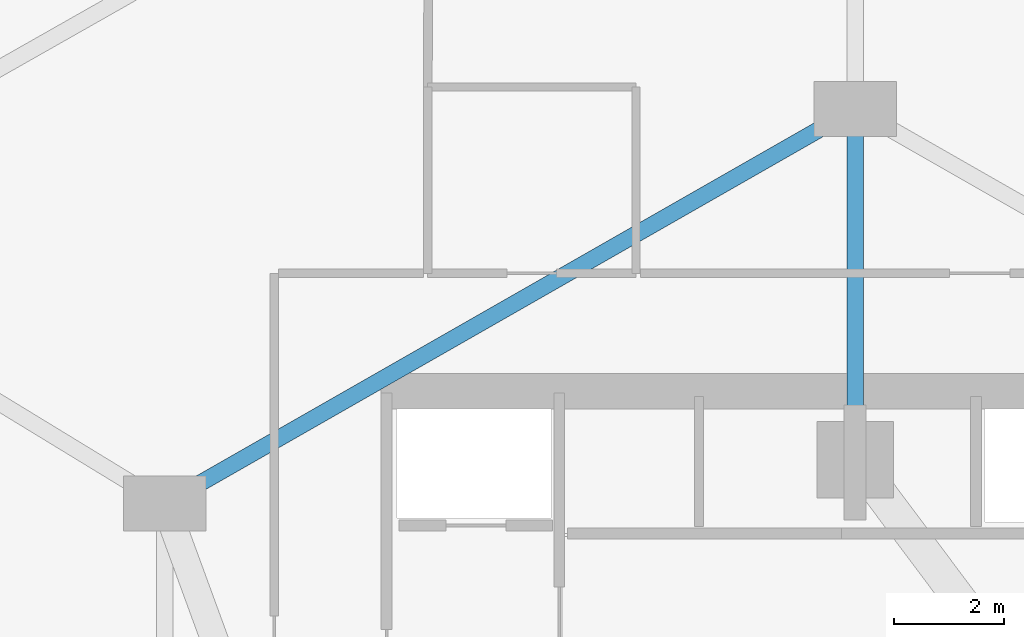
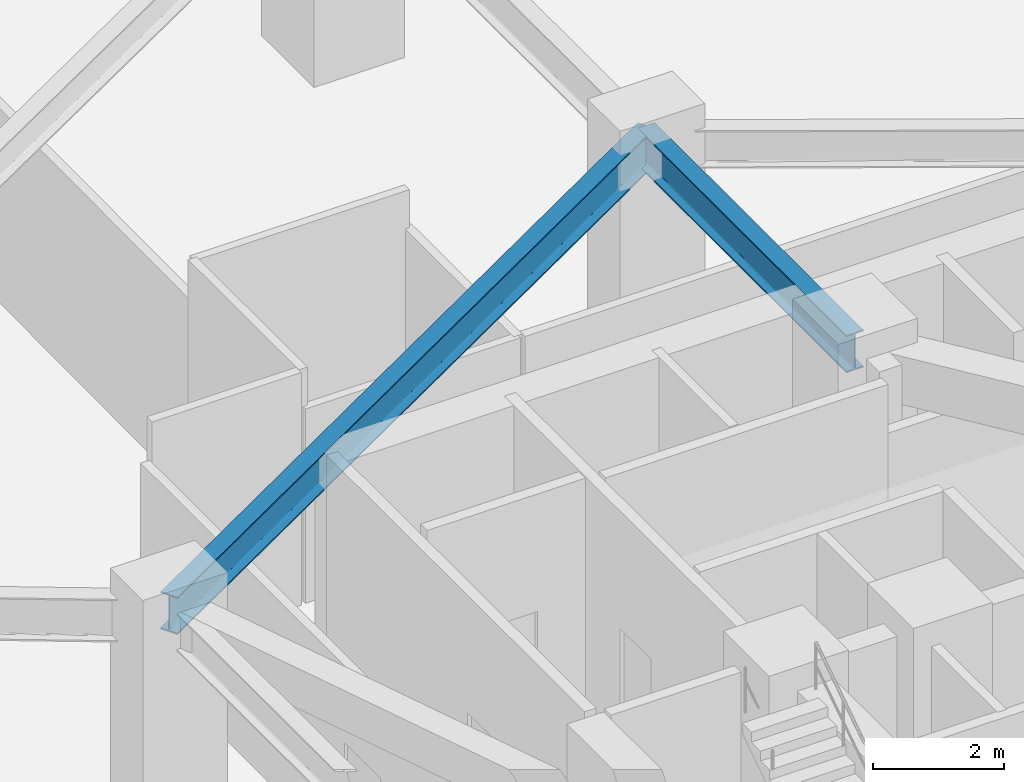
# One storey, part 7 of 19: 2 beams.
"""IFC4 building model written with IfcOpenShell, lengths in metres."""

from ifc_helpers import new_model, si_unit, direction, frame, origin, origin_2d, place, context, subcontext, project, spatial, i_section, extrude, material, material_profile, profile_set, type_object, element, save


model = new_model("IFC4")

# Units and contexts
model_context = context("Model", 3, precision=1e-05, world=origin(), true_north=direction((0.0, 1.0)))
body_context = subcontext(model_context, "Body", "Model", "MODEL_VIEW")
ifc_project = project(units=[si_unit("LENGTHUNIT", "METRE"), si_unit("AREAUNIT", "SQUARE_METRE"), si_unit("VOLUMEUNIT", "CUBIC_METRE"), si_unit("PLANEANGLEUNIT", "RADIAN"), si_unit("MASSUNIT", "GRAM", prefix="KILO")], contexts=[model_context])

# Site, building, storey
site_placement = place(None, origin())
site = spatial("IfcSite", under=ifc_project, at=site_placement, CompositionType="ELEMENT")
building_placement = place(site_placement, origin())
building = spatial("IfcBuilding", under=site, at=building_placement, Name="Miruveldt Soraemaru", CompositionType="ELEMENT")
storey_placement = place(building_placement, frame((0.0, 0.0, 19.199951171875)))
storey = spatial("IfcBuildingStorey", under=building, at=storey_placement, Name="L05", CompositionType="ELEMENT", Elevation=19.199951171875)

# Beams
ifc_material = material(Name="Steel SM355 (355 MPa)", Category="steel")
ifc_material_profile = material_profile(ifc_material, i_section(OverallWidth=0.300048828125, OverallDepth=0.699951171875, WebThickness=0.012939453125, FlangeThickness=0.02392578125, FilletRadius=0.028076171875, at=origin_2d()), Name="Steel SM355 (355 MPa)", Category="steel")
ifc_profile_set = profile_set([ifc_material_profile], Name="Steel SM355 (355 MPa)")
beam_type = type_object("IfcBeamType", Name="BM-ST-H700", PredefinedType="BEAM", material=ifc_profile_set)
beam_1_placement = place(storey_placement, frame((44.0, 51.199951171875, 4.0), z_axis=(0.0, 1.0, 0.0), x_axis=(-1.0, 0.0, 0.0)))
element("IfcBeam", 1, at=beam_1_placement, inside=storey, type_object=beam_type, Name="L05 Core-to-Inner Radial Girder 1", PredefinedType="BEAM", context=body_context, shape_type="SweptSolid", body=[
    extrude(i_section(OverallWidth=0.300048828125, OverallDepth=0.699951171875, WebThickness=0.012939453125, FlangeThickness=0.02392578125, FilletRadius=0.028076171875, at=origin_2d()), origin(), (0.0, 0.0, 1.0), 6.400146484375),
])
beam_2_placement = place(storey_placement, frame((31.39990234375, 50.39990234375, 4.0), z_axis=(0.868239001029, 0.496146185203, 0.0), x_axis=(-0.496146185203, 0.868239001029, 0.0)))
element("IfcBeam", 2, at=beam_2_placement, inside=storey, type_object=beam_type, Name="L05 Inner Ring Girder 6", PredefinedType="BEAM", context=body_context, shape_type="SweptSolid", body=[
    extrude(i_section(OverallWidth=0.300048828125, OverallDepth=0.699951171875, WebThickness=0.012939453125, FlangeThickness=0.02392578125, FilletRadius=0.028076171875, at=origin_2d()), origin(), (0.0, 0.0, 1.0), 14.51220703125),
])

save(model, "model.ifc")
